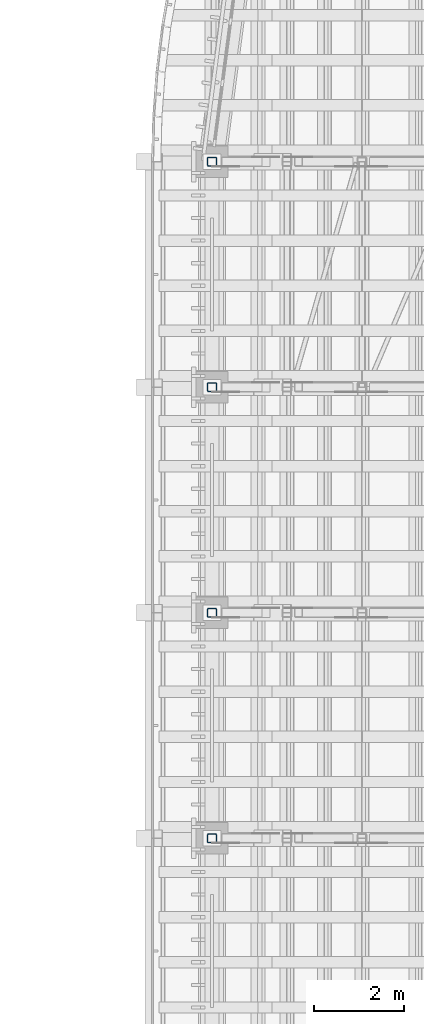
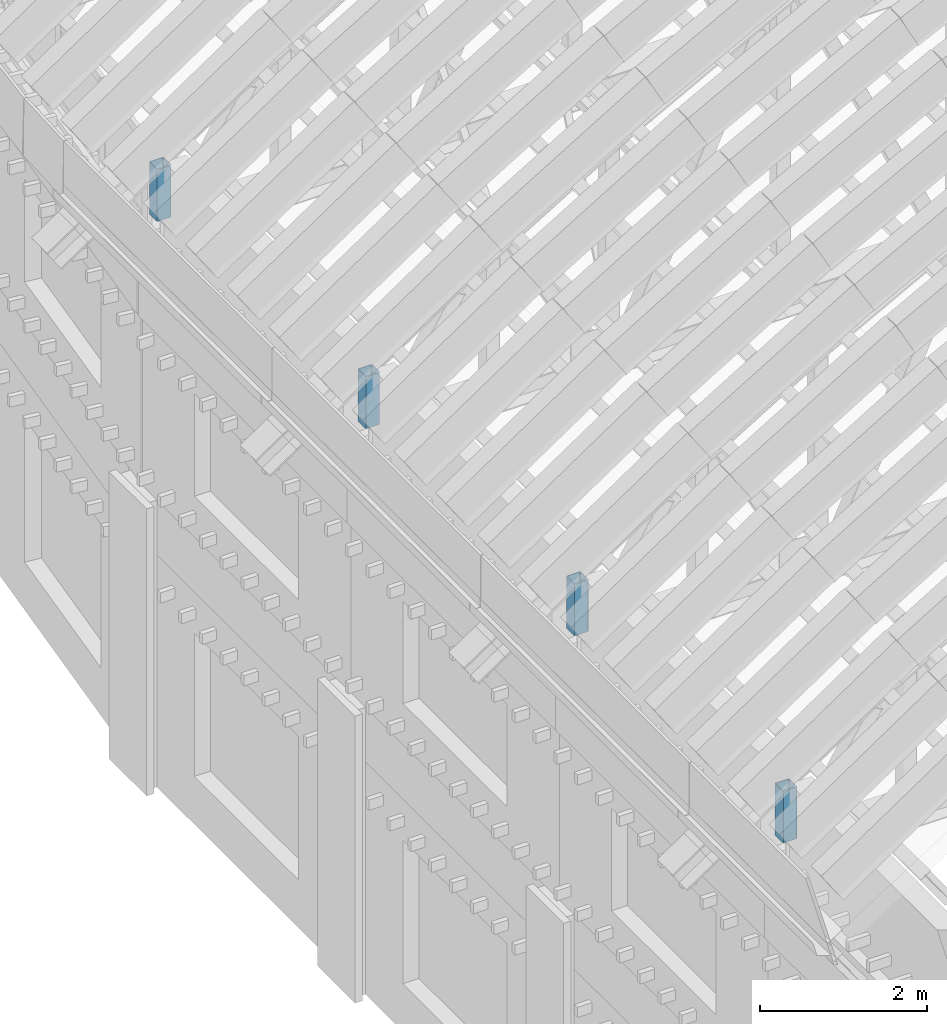
# One storey, part 45 of 105: 4 members.
"""IFC4 building model written with IfcOpenShell, lengths in metres."""

from ifc_helpers import new_model, si_unit, direction, frame, origin, origin_2d, place, context, subcontext, project, spatial, hollow_rectangle, extrude, material, material_profile, profile_set, type_object, element, save


model = new_model("IFC4")

# Units and contexts
model_context = context("Model", 3, precision=1e-05, world=origin(), true_north=direction((0.0, 1.0)))
body_context = subcontext(model_context, "Body", "Model", "MODEL_VIEW")
ifc_project = project(units=[si_unit("LENGTHUNIT", "METRE"), si_unit("AREAUNIT", "SQUARE_METRE"), si_unit("VOLUMEUNIT", "CUBIC_METRE"), si_unit("PLANEANGLEUNIT", "RADIAN"), si_unit("MASSUNIT", "GRAM", prefix="KILO")], contexts=[model_context])

# Site, building, storey
site_placement = place(None, origin())
site = spatial("IfcSite", under=ifc_project, at=site_placement, CompositionType="ELEMENT")
building_placement = place(site_placement, origin())
building = spatial("IfcBuilding", under=site, at=building_placement, Name="Wasatch Bagh Community Centre", CompositionType="ELEMENT")
storey_placement = place(building_placement, frame((0.0, 0.0, 16.800048828125)))
storey = spatial("IfcBuildingStorey", under=building, at=storey_placement, Name="L04", CompositionType="ELEMENT", Elevation=16.800048828125)

# Members
ifc_material = material(Name="ASTM A500 Grade C steel", Category="steel")
ifc_material_profile = material_profile(ifc_material, hollow_rectangle(XDim=0.203125, YDim=0.203125, WallThickness=0.01171875, InnerFilletRadius=0.01171875, OuterFilletRadius=0.023681640625, at=origin_2d()), Name="HSS8x8x1/2")
ifc_profile_set = profile_set([ifc_material_profile], Name="ASTM A500 Grade C steel")
member_type = type_object("IfcMemberType", Name="HSS8x8x1/2 post", PredefinedType="POST", material=ifc_profile_set)
for number, where, z_axis, x_axis, name in (
    (1, (17.25, 50.0, 8.070556640625), (0.0, 0.0, 1.0), (1.0, 0.0, 0.0), "MH.TA4.PS01"),
    (2, (17.25, 55.0, 8.070556640625), (0.0, 0.0, 1.0), (1.0, 0.0, 0.0), "MH.TA5.PS01"),
    (3, (17.25, 60.0, 8.070556640625), (0.0, 0.0, 1.0), (1.0, 0.0, 0.0), "MH.TA6.PS01"),
    (4, (17.25, 65.0, 8.070556640625), (0.0, 0.0, 1.0), (1.0, 0.0, 0.0), "MH.TA7.PS01"),
):
    element("IfcMember", number, at=place(storey_placement, frame(where, z_axis=z_axis, x_axis=x_axis)), inside=storey, type_object=member_type, Name=name, PredefinedType="POST", context=body_context, shape_type="SweptSolid", body=[
        extrude(hollow_rectangle(XDim=0.203125, YDim=0.203125, WallThickness=0.01171875, InnerFilletRadius=0.01171875, OuterFilletRadius=0.023681640625, at=origin_2d()), origin(), (0.0, 0.0, 1.0), 0.7568359375),
    ])

save(model, "model.ifc")
